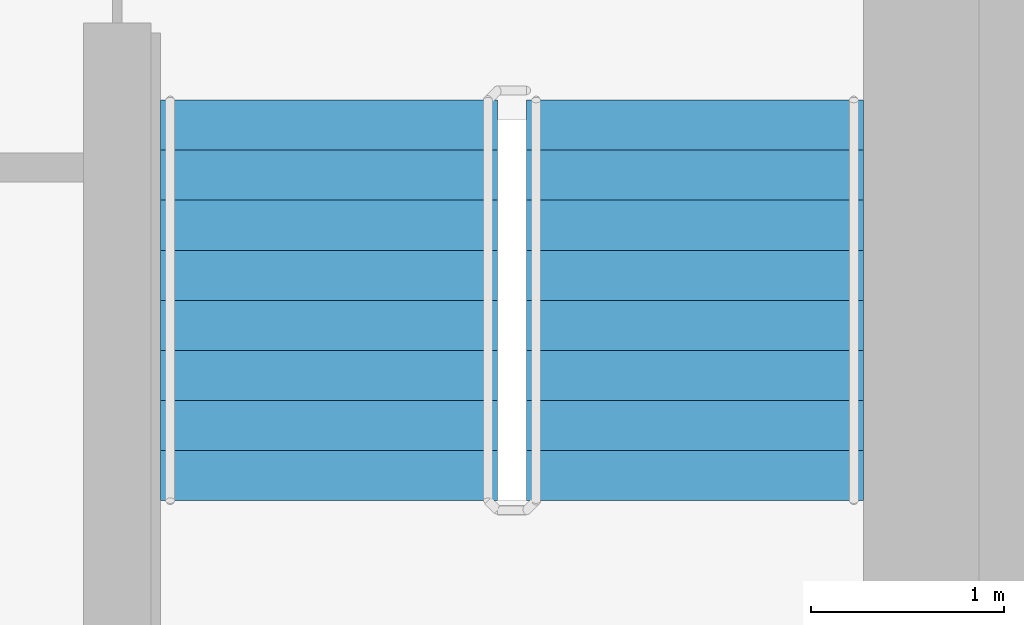
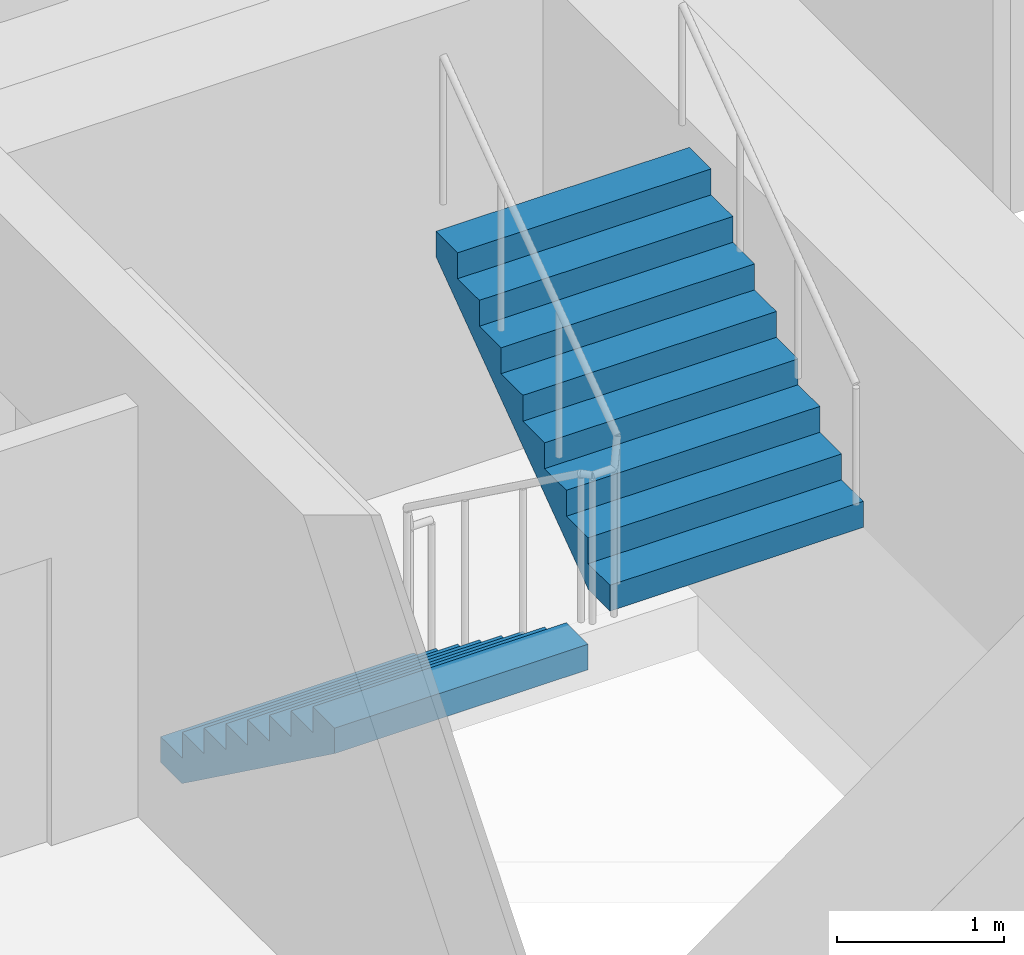
# One storey, part 14 of 18: 2 stair flights, 1 element without a shape of its own.
"""IFC4 building model written with IfcOpenShell, lengths in metres."""

import ifcopenshell
import ifcopenshell.guid

model = None  # the IFC model being written
_history = None  # IfcOwnerHistory: only IFC2X3 demands one
_inside = {}  # id of a spatial element -> (the spatial element, [elements in it])
_under = {}  # id of a project, library or spatial element -> (it, [spatial elements below it])
_declared = {}  # id of a project -> (the project, [libraries it declares])
_typed = {}  # id of a type object -> (the type object, [elements of that type])
_made_of = {}  # id of a material, layer set ... -> (it, [elements and type objects made of it])


def new_model(schema):
    """Start an empty IFC model of exactly this schema.

    Asked for "IFC4X3", IfcOpenShell would pick the latest addendum, in which some entities
    have other attributes; the version numbers below select the first issue.
    IFC2X3 requires an IfcOwnerHistory on every rooted entity: one is made here for all.
    """
    global model, _history
    if schema == "IFC4X3":
        model = ifcopenshell.file(schema_version=(4, 3, 0, 0))
    else:
        model = ifcopenshell.file(schema=schema)
    _inside.clear()
    _under.clear()
    _declared.clear()
    _typed.clear()
    _made_of.clear()
    _history = None
    if model.schema == "IFC2X3":
        org = make("IfcOrganization", Name="unknown")
        user = make(
            "IfcPersonAndOrganization",
            ThePerson=make("IfcPerson", FamilyName="unknown"),
            TheOrganization=org,
        )
        app = make(
            "IfcApplication",
            ApplicationDeveloper=org,
            Version="unknown",
            ApplicationFullName="unknown",
            ApplicationIdentifier="unknown",
        )
        _history = make(
            "IfcOwnerHistory",
            OwningUser=user,
            OwningApplication=app,
            ChangeAction="ADDED",
            CreationDate=0,
        )
    return model


def make(cls, **values):
    """One entity of the class cls with the attributes given. An attribute that is None is left unset."""
    return model.create_entity(
        cls, **{name: value for name, value in values.items() if value is not None}
    )


def rooted(cls, **values):
    """An entity with a GlobalId (a new one), such as an element, a storey or a relation."""
    return make(cls, GlobalId=ifcopenshell.guid.new(), OwnerHistory=_history, **values)


def si_unit(unit_type, name, prefix=None):
    """IfcSIUnit, for example si_unit("LENGTHUNIT", "METRE", prefix="MILLI")."""
    return make("IfcSIUnit", UnitType=unit_type, Prefix=prefix, Name=name)


def assignment(units):
    """IfcUnitAssignment: the units of a project."""
    return None if units is None else make("IfcUnitAssignment", Units=units)


def point(xyz):
    """IfcCartesianPoint."""
    return None if xyz is None else make("IfcCartesianPoint", Coordinates=xyz)


def direction(xyz):
    """IfcDirection."""
    return None if xyz is None else make("IfcDirection", DirectionRatios=xyz)


def frame(location, z_axis=None, x_axis=None):
    """IfcAxis2Placement3D, a coordinate frame: its origin and axes. An axis left out is left unset."""
    return make(
        "IfcAxis2Placement3D",
        Location=point(location),
        Axis=direction(z_axis),
        RefDirection=direction(x_axis),
    )


def origin():
    """The frame at (0, 0, 0) with its axes left unset."""
    return frame((0.0, 0.0, 0.0))


def place(relative_to, where):
    """IfcLocalPlacement: puts the frame where relative to a parent placement (None: the world)."""
    return make(
        "IfcLocalPlacement", PlacementRelTo=relative_to, RelativePlacement=where
    )


def context(
    kind, dimensions, precision=None, world=None, true_north=None, identifier=None
):
    """IfcGeometricRepresentationContext, for example the 3D "Model" context."""
    return make(
        "IfcGeometricRepresentationContext",
        ContextIdentifier=identifier,
        ContextType=kind,
        CoordinateSpaceDimension=dimensions,
        Precision=precision,
        WorldCoordinateSystem=world,
        TrueNorth=true_north,
    )


def subcontext(parent, identifier, kind, view, scale=None):
    """IfcGeometricRepresentationSubContext, for example "Body" below "Model"."""
    return make(
        "IfcGeometricRepresentationSubContext",
        ContextIdentifier=identifier,
        ContextType=kind,
        ParentContext=parent,
        TargetScale=scale,
        TargetView=view,
    )


def project(units=None, contexts=None):
    """IfcProject with its units and contexts."""
    return rooted(
        "IfcProject",
        Name="project",
        RepresentationContexts=contexts,
        UnitsInContext=assignment(units),
    )


def spatial(cls, under=None, at=None, **own):
    """A site, building, storey or space (cls), placed at a placement, below another one or the project."""
    s = rooted(cls, ObjectPlacement=at, **own)
    if under is not None:
        _under.setdefault(under.id(), (under, []))[1].append(s)
    return s


def faces_of(points, faces, orient=None, outer=None):
    """IfcFace entities. A face is a list of loops; a loop is a list of indices into points, from 0.

    orient and outer hold one flag for each loop. By default every Orientation is true, the
    first loop of a face is its IfcFaceOuterBound and the others are IfcFaceBound.
    """
    made = []
    for i, loops in enumerate(faces):
        bounds = []
        for j, loop in enumerate(loops):
            is_outer = j == 0 if outer is None else outer[i][j]
            bounds.append(
                make(
                    "IfcFaceOuterBound" if is_outer else "IfcFaceBound",
                    Bound=make("IfcPolyLoop", Polygon=[points[k] for k in loop]),
                    Orientation=True if orient is None else orient[i][j],
                )
            )
        made.append(make("IfcFace", Bounds=bounds))
    return made


def faceted_brep(points, faces, orient=None, outer=None, voids=None):
    """IfcFacetedBrep: a solid bounded by flat faces; with voids (closed shells), ...WithVoids."""
    shared = [point(p) for p in points]
    hull = make("IfcClosedShell", CfsFaces=faces_of(shared, faces, orient, outer))
    if voids is None:
        return make("IfcFacetedBrep", Outer=hull)
    return make(
        "IfcFacetedBrepWithVoids",
        Outer=hull,
        Voids=[
            make(cls, CfsFaces=faces_of(shared, fs, o, b)) for cls, fs, o, b in voids
        ],
    )


def shape(context_of_items, identifier, shape_type, items):
    """IfcShapeRepresentation: the items that make up one representation, for example the "Body"."""
    return make(
        "IfcShapeRepresentation",
        ContextOfItems=context_of_items,
        RepresentationIdentifier=identifier,
        RepresentationType=shape_type,
        Items=items,
    )


def material(Name=None, Category=None):
    """IfcMaterial."""
    return make("IfcMaterial", Name=Name, Category=Category)


def made_of(thing, what):
    """Note that an element or type object is made of a material, layer set ...; save() writes the relation."""
    if what is not None:
        _made_of.setdefault(what.id(), (what, []))[1].append(thing)
    return thing


def type_object(cls, material=None, **own):
    """A type object (cls), such as IfcWallType, which elements share."""
    return made_of(rooted(cls, **own), material)


def element(
    cls,
    number,
    at=None,
    inside=None,
    cuts=None,
    type_object=None,
    material=None,
    context=None,
    identifier="Body",
    shape_type=None,
    held_by="IfcProductDefinitionShape",
    body=None,
    shapes=None,
    **own,
):
    """One element of the class cls, such as IfcWall. Its Tag is "e" and its number.

    at: its placement. inside: the storey or other place that contains it. cuts: it is an
    opening in that element (IfcRelVoidsElement). A single representation is given by context,
    identifier, shape_type and body (its items); several are given by shapes. held_by: the class
    of the entity that holds the representations. save() writes the other relations.
    """
    e = rooted(cls, Tag="e%d" % number, ObjectPlacement=at, **own)
    if body is not None:
        shapes = [shape(context, identifier, shape_type, body)]
    if shapes is not None:
        e.Representation = make(held_by, Representations=shapes)
    if inside is not None:
        _inside.setdefault(inside.id(), (inside, []))[1].append(e)
    if cuts is not None:
        rooted(
            "IfcRelVoidsElement", RelatingBuildingElement=cuts, RelatedOpeningElement=e
        )
    if type_object is not None:
        _typed.setdefault(type_object.id(), (type_object, []))[1].append(e)
    return made_of(e, material)


def aggregate(whole, parts):
    """IfcRelAggregates: a whole, such as a stair, and the parts it consists of."""
    return rooted("IfcRelAggregates", RelatingObject=whole, RelatedObjects=parts)


def save(model, path):
    """Write the relations noted so far, then the file.

    IfcRelAggregates (storeys below a building ...), IfcRelContainedInSpatialStructure (elements
    in a storey), IfcRelDefinesByType, IfcRelAssociatesMaterial and IfcRelDeclares: one each for
    every whole, place, type object, material and project.
    """
    for whole, parts in _under.values():
        aggregate(whole, parts)
    for where, things in _inside.values():
        rooted(
            "IfcRelContainedInSpatialStructure",
            RelatedElements=things,
            RelatingStructure=where,
        )
    for kind, things in _typed.values():
        rooted("IfcRelDefinesByType", RelatedObjects=things, RelatingType=kind)
    for what, things in _made_of.values():
        rooted("IfcRelAssociatesMaterial", RelatedObjects=things, RelatingMaterial=what)
    for by, libraries in _declared.values():
        rooted("IfcRelDeclares", RelatingContext=by, RelatedDefinitions=libraries)
    model.write(path)


model = new_model("IFC4")

# Units and contexts
model_context = context("Model", 3, precision=1e-05, world=origin(), true_north=direction((0.0, 1.0)))
body_context = subcontext(model_context, "Body", "Model", "MODEL_VIEW")
ifc_project = project(units=[si_unit("LENGTHUNIT", "METRE"), si_unit("AREAUNIT", "SQUARE_METRE"), si_unit("VOLUMEUNIT", "CUBIC_METRE"), si_unit("PLANEANGLEUNIT", "RADIAN"), si_unit("MASSUNIT", "GRAM", prefix="KILO")], contexts=[model_context])

# Site, building, storey
site_placement = place(None, origin())
site = spatial("IfcSite", under=ifc_project, at=site_placement, CompositionType="ELEMENT")
building_placement = place(site_placement, origin())
building = spatial("IfcBuilding", under=site, at=building_placement, Name="Ipe Terrace Towers", CompositionType="ELEMENT")
storey_placement = place(building_placement, frame((0.0, 0.0, 206.199951171875)))
storey = spatial("IfcBuildingStorey", under=building, at=storey_placement, Name="L57", CompositionType="ELEMENT", Elevation=206.199951171875)

# Stair, stair flights
ifc_material_1 = material(Name="Concrete C30/37", Category="concrete")
stair_type = type_object("IfcStairType", Name="Protected exit stair", PredefinedType="HALF_TURN_STAIR", material=ifc_material_1)
stair_placement = place(storey_placement, origin())
stair = element("IfcStair", 1, at=stair_placement, inside=storey, type_object=stair_type, Name="L57 Exit stair T2-C2", PredefinedType="HALF_TURN_STAIR")
ifc_material_2 = material(Name="Concrete C30/37", Category="concrete")
stair_flight_type = type_object("IfcStairFlightType", Name="Exit stair flight 1750", PredefinedType="STRAIGHT", material=ifc_material_2)
stair_flight_1_placement = place(storey_placement, frame((38.77490234375, -9.699951171875, 0.0), z_axis=(0.0, 0.0, 1.0), x_axis=(0.0, -1.0, 0.0)))
stair_flight_1 = element("IfcStairFlight", 2, at=stair_flight_1_placement, type_object=stair_flight_type, Name="T2-ST2 flight 1", NumberOfRisers=9, NumberOfTreads=8, PredefinedType="STRAIGHT", RiserHeight=0.188888889, TreadLength=0.26, context=body_context, shape_type="Brep", body=[
    faceted_brep([(0.255126953125, -0.875, 0.0), (2.080078125, -0.875, 1.325927734375), (2.080078125, -0.875, 1.51123046875), (1.820068359375, -0.875, 1.51123046875), (1.820068359375, -0.875, 1.322265625), (1.56005859375, -0.875, 1.322265625), (1.56005859375, -0.875, 1.13330078125), (1.300048828125, -0.875, 1.13330078125), (1.300048828125, -0.875, 0.9443359375), (1.0400390625, -0.875, 0.9443359375), (1.0400390625, -0.875, 0.755615234375), (0.780029296875, -0.875, 0.755615234375), (0.780029296875, -0.875, 0.566650390625), (0.52001953125, -0.875, 0.566650390625), (0.52001953125, -0.875, 0.377685546875), (0.260009765625, -0.875, 0.377685546875), (0.260009765625, -0.875, 0.18896484375), (0.0, -0.875, 0.18896484375), (0.0, -0.875, 0.0), (0.0, 0.875, 0.0), (0.0, 0.875, 0.18896484375), (0.260009765625, 0.875, 0.18896484375), (0.260009765625, 0.875, 0.377685546875), (0.52001953125, 0.875, 0.377685546875), (0.52001953125, 0.875, 0.566650390625), (0.780029296875, 0.875, 0.566650390625), (0.780029296875, 0.875, 0.755615234375), (1.0400390625, 0.875, 0.755615234375), (1.0400390625, 0.875, 0.9443359375), (1.300048828125, 0.875, 0.9443359375), (1.300048828125, 0.875, 1.13330078125), (1.56005859375, 0.875, 1.13330078125), (1.56005859375, 0.875, 1.322265625), (1.820068359375, 0.875, 1.322265625), (1.820068359375, 0.875, 1.51123046875), (2.080078125, 0.875, 1.51123046875), (2.080078125, 0.875, 1.325927734375), (0.255126953125, 0.875, 0.0), (0.0, -0.300048828125, 0.18896484375), (0.0, -0.1201171875, 0.18896484375), (0.0, -0.06005859375, 0.18896484375), (0.0, -0.030029296875, 0.18896484375), (0.0, -0.010009765625, 0.18896484375), (0.0, 0.0, 0.18896484375), (0.0, 0.010009765625, 0.18896484375), (0.0, 0.030029296875, 0.18896484375), (0.0, 0.06005859375, 0.18896484375), (0.0, 0.1201171875, 0.18896484375), (0.0, 0.300048828125, 0.18896484375), (0.0, 0.300048828125, 0.0), (0.0, 0.1201171875, 0.0), (0.0, 0.06005859375, 0.0), (0.0, 0.030029296875, 0.0), (0.0, 0.010009765625, 0.0), (0.0, 0.0, 0.0), (0.0, -0.010009765625, 0.0), (0.0, -0.030029296875, 0.0), (0.0, -0.06005859375, 0.0), (0.0, -0.1201171875, 0.0), (0.0, -0.300048828125, 0.0), (0.260009765625, -0.300048828125, 0.18896484375), (0.260009765625, -0.1201171875, 0.18896484375), (0.260009765625, -0.06005859375, 0.18896484375), (0.260009765625, -0.030029296875, 0.18896484375), (0.260009765625, -0.010009765625, 0.18896484375), (0.260009765625, 0.0, 0.18896484375), (0.260009765625, 0.010009765625, 0.18896484375), (0.260009765625, 0.030029296875, 0.18896484375), (0.260009765625, 0.06005859375, 0.18896484375), (0.260009765625, 0.1201171875, 0.18896484375), (0.260009765625, 0.300048828125, 0.18896484375), (0.260009765625, -0.300048828125, 0.377685546875), (0.260009765625, -0.1201171875, 0.377685546875), (0.260009765625, -0.06005859375, 0.377685546875), (0.260009765625, -0.030029296875, 0.377685546875), (0.260009765625, -0.010009765625, 0.377685546875), (0.260009765625, 0.0, 0.377685546875), (0.260009765625, 0.010009765625, 0.377685546875), (0.260009765625, 0.030029296875, 0.377685546875), (0.260009765625, 0.06005859375, 0.377685546875), (0.260009765625, 0.1201171875, 0.377685546875), (0.260009765625, 0.300048828125, 0.377685546875), (0.52001953125, -0.300048828125, 0.377685546875), (0.52001953125, -0.1201171875, 0.377685546875), (0.52001953125, -0.06005859375, 0.377685546875), (0.52001953125, -0.030029296875, 0.377685546875), (0.52001953125, -0.010009765625, 0.377685546875), (0.52001953125, 0.0, 0.377685546875), (0.52001953125, 0.010009765625, 0.377685546875), (0.52001953125, 0.030029296875, 0.377685546875), (0.52001953125, 0.06005859375, 0.377685546875), (0.52001953125, 0.1201171875, 0.377685546875), (0.52001953125, 0.300048828125, 0.377685546875), (0.52001953125, -0.300048828125, 0.566650390625), (0.52001953125, -0.1201171875, 0.566650390625), (0.52001953125, -0.06005859375, 0.566650390625), (0.52001953125, -0.030029296875, 0.566650390625), (0.52001953125, -0.010009765625, 0.566650390625), (0.52001953125, 0.0, 0.566650390625), (0.52001953125, 0.010009765625, 0.566650390625), (0.52001953125, 0.030029296875, 0.566650390625), (0.52001953125, 0.06005859375, 0.566650390625), (0.52001953125, 0.1201171875, 0.566650390625), (0.52001953125, 0.300048828125, 0.566650390625), (0.780029296875, -0.300048828125, 0.566650390625), (0.780029296875, -0.1201171875, 0.566650390625), (0.780029296875, -0.06005859375, 0.566650390625), (0.780029296875, -0.030029296875, 0.566650390625), (0.780029296875, -0.010009765625, 0.566650390625), (0.780029296875, 0.0, 0.566650390625), (0.780029296875, 0.010009765625, 0.566650390625), (0.780029296875, 0.030029296875, 0.566650390625), (0.780029296875, 0.06005859375, 0.566650390625), (0.780029296875, 0.1201171875, 0.566650390625), (0.780029296875, 0.300048828125, 0.566650390625), (0.780029296875, -0.300048828125, 0.755615234375), (0.780029296875, -0.1201171875, 0.755615234375), (0.780029296875, -0.06005859375, 0.755615234375), (0.780029296875, -0.030029296875, 0.755615234375), (0.780029296875, -0.010009765625, 0.755615234375), (0.780029296875, 0.0, 0.755615234375), (0.780029296875, 0.010009765625, 0.755615234375), (0.780029296875, 0.030029296875, 0.755615234375), (0.780029296875, 0.06005859375, 0.755615234375), (0.780029296875, 0.1201171875, 0.755615234375), (0.780029296875, 0.300048828125, 0.755615234375), (1.0400390625, -0.300048828125, 0.755615234375), (1.0400390625, -0.1201171875, 0.755615234375), (1.0400390625, -0.06005859375, 0.755615234375), (1.0400390625, -0.030029296875, 0.755615234375), (1.0400390625, -0.010009765625, 0.755615234375), (1.0400390625, 0.0, 0.755615234375), (1.0400390625, 0.010009765625, 0.755615234375), (1.0400390625, 0.030029296875, 0.755615234375), (1.0400390625, 0.06005859375, 0.755615234375), (1.0400390625, 0.1201171875, 0.755615234375), (1.0400390625, 0.300048828125, 0.755615234375), (1.0400390625, -0.300048828125, 0.9443359375), (1.0400390625, -0.1201171875, 0.9443359375), (1.0400390625, -0.06005859375, 0.9443359375), (1.0400390625, -0.030029296875, 0.9443359375), (1.0400390625, -0.010009765625, 0.9443359375), (1.0400390625, 0.0, 0.9443359375), (1.0400390625, 0.010009765625, 0.9443359375), (1.0400390625, 0.030029296875, 0.9443359375), (1.0400390625, 0.06005859375, 0.9443359375), (1.0400390625, 0.1201171875, 0.9443359375), (1.0400390625, 0.300048828125, 0.9443359375), (1.300048828125, -0.300048828125, 0.9443359375), (1.300048828125, -0.1201171875, 0.9443359375), (1.300048828125, -0.06005859375, 0.9443359375), (1.300048828125, -0.030029296875, 0.9443359375), (1.300048828125, -0.010009765625, 0.9443359375), (1.300048828125, 0.0, 0.9443359375), (1.300048828125, 0.010009765625, 0.9443359375), (1.300048828125, 0.030029296875, 0.9443359375), (1.300048828125, 0.06005859375, 0.9443359375), (1.300048828125, 0.1201171875, 0.9443359375), (1.300048828125, 0.300048828125, 0.9443359375), (1.300048828125, -0.300048828125, 1.13330078125), (1.300048828125, -0.1201171875, 1.13330078125), (1.300048828125, -0.06005859375, 1.13330078125), (1.300048828125, -0.030029296875, 1.13330078125), (1.300048828125, -0.010009765625, 1.13330078125), (1.300048828125, 0.0, 1.13330078125), (1.300048828125, 0.010009765625, 1.13330078125), (1.300048828125, 0.030029296875, 1.13330078125), (1.300048828125, 0.06005859375, 1.13330078125), (1.300048828125, 0.1201171875, 1.13330078125), (1.300048828125, 0.300048828125, 1.13330078125), (1.56005859375, -0.300048828125, 1.13330078125), (1.56005859375, -0.1201171875, 1.13330078125), (1.56005859375, -0.06005859375, 1.13330078125), (1.56005859375, -0.030029296875, 1.13330078125), (1.56005859375, -0.010009765625, 1.13330078125), (1.56005859375, 0.0, 1.13330078125), (1.56005859375, 0.010009765625, 1.13330078125), (1.56005859375, 0.030029296875, 1.13330078125), (1.56005859375, 0.06005859375, 1.13330078125), (1.56005859375, 0.1201171875, 1.13330078125), (1.56005859375, 0.300048828125, 1.13330078125), (1.56005859375, -0.300048828125, 1.322265625), (1.56005859375, -0.1201171875, 1.322265625), (1.56005859375, -0.06005859375, 1.322265625), (1.56005859375, -0.030029296875, 1.322265625), (1.56005859375, -0.010009765625, 1.322265625), (1.56005859375, 0.0, 1.322265625), (1.56005859375, 0.010009765625, 1.322265625), (1.56005859375, 0.030029296875, 1.322265625), (1.56005859375, 0.06005859375, 1.322265625), (1.56005859375, 0.1201171875, 1.322265625), (1.56005859375, 0.300048828125, 1.322265625), (1.820068359375, -0.300048828125, 1.322265625), (1.820068359375, -0.1201171875, 1.322265625), (1.820068359375, -0.06005859375, 1.322265625), (1.820068359375, -0.030029296875, 1.322265625), (1.820068359375, -0.010009765625, 1.322265625), (1.820068359375, 0.0, 1.322265625), (1.820068359375, 0.010009765625, 1.322265625), (1.820068359375, 0.030029296875, 1.322265625), (1.820068359375, 0.06005859375, 1.322265625), (1.820068359375, 0.1201171875, 1.322265625), (1.820068359375, 0.300048828125, 1.322265625), (1.820068359375, -0.300048828125, 1.51123046875), (1.820068359375, -0.1201171875, 1.51123046875), (1.820068359375, -0.06005859375, 1.51123046875), (1.820068359375, -0.030029296875, 1.51123046875), (1.820068359375, -0.010009765625, 1.51123046875), (1.820068359375, 0.0, 1.51123046875), (1.820068359375, 0.010009765625, 1.51123046875), (1.820068359375, 0.030029296875, 1.51123046875), (1.820068359375, 0.06005859375, 1.51123046875), (1.820068359375, 0.1201171875, 1.51123046875), (1.820068359375, 0.300048828125, 1.51123046875), (2.080078125, -0.300048828125, 1.51123046875), (2.080078125, -0.1201171875, 1.51123046875), (2.080078125, -0.06005859375, 1.51123046875), (2.080078125, -0.030029296875, 1.51123046875), (2.080078125, -0.010009765625, 1.51123046875), (2.080078125, 0.0, 1.51123046875), (2.080078125, 0.010009765625, 1.51123046875), (2.080078125, 0.030029296875, 1.51123046875), (2.080078125, 0.06005859375, 1.51123046875), (2.080078125, 0.1201171875, 1.51123046875), (2.080078125, 0.300048828125, 1.51123046875), (2.080078125, -0.300048828125, 1.325927734375), (2.080078125, -0.1201171875, 1.325927734375), (2.080078125, -0.06005859375, 1.325927734375), (2.080078125, -0.030029296875, 1.325927734375), (2.080078125, -0.010009765625, 1.325927734375), (2.080078125, 0.0, 1.325927734375), (2.080078125, 0.010009765625, 1.325927734375), (2.080078125, 0.030029296875, 1.325927734375), (2.080078125, 0.06005859375, 1.325927734375), (2.080078125, 0.1201171875, 1.325927734375), (2.080078125, 0.300048828125, 1.325927734375), (0.255126953125, -0.300048828125, 0.0), (0.255126953125, -0.1201171875, 0.0), (0.255126953125, -0.06005859375, 0.0), (0.255126953125, -0.030029296875, 0.0), (0.255126953125, -0.010009765625, 0.0), (0.255126953125, 0.0, 0.0), (0.255126953125, 0.010009765625, 0.0), (0.255126953125, 0.030029296875, 0.0), (0.255126953125, 0.06005859375, 0.0), (0.255126953125, 0.1201171875, 0.0), (0.255126953125, 0.300048828125, 0.0)], [[[0, 1, 2, 3, 4, 5, 6, 7, 8, 9, 10, 11, 12, 13, 14, 15, 16, 17, 18]], [[19, 20, 21, 22, 23, 24, 25, 26, 27, 28, 29, 30, 31, 32, 33, 34, 35, 36, 37]], [[17, 38, 39, 40, 41, 42, 43, 44, 45, 46, 47, 48, 20, 19, 49, 50, 51, 52, 53, 54, 55, 56, 57, 58, 59, 18]], [[16, 60, 61, 62, 63, 64, 65, 66, 67, 68, 69, 70, 21, 20, 48, 47, 46, 45, 44, 43, 42, 41, 40, 39, 38, 17]], [[15, 71, 72, 73, 74, 75, 76, 77, 78, 79, 80, 81, 22, 21, 70, 69, 68, 67, 66, 65, 64, 63, 62, 61, 60, 16]], [[14, 82, 83, 84, 85, 86, 87, 88, 89, 90, 91, 92, 23, 22, 81, 80, 79, 78, 77, 76, 75, 74, 73, 72, 71, 15]], [[13, 93, 94, 95, 96, 97, 98, 99, 100, 101, 102, 103, 24, 23, 92, 91, 90, 89, 88, 87, 86, 85, 84, 83, 82, 14]], [[12, 104, 105, 106, 107, 108, 109, 110, 111, 112, 113, 114, 25, 24, 103, 102, 101, 100, 99, 98, 97, 96, 95, 94, 93, 13]], [[11, 115, 116, 117, 118, 119, 120, 121, 122, 123, 124, 125, 26, 25, 114, 113, 112, 111, 110, 109, 108, 107, 106, 105, 104, 12]], [[10, 126, 127, 128, 129, 130, 131, 132, 133, 134, 135, 136, 27, 26, 125, 124, 123, 122, 121, 120, 119, 118, 117, 116, 115, 11]], [[9, 137, 138, 139, 140, 141, 142, 143, 144, 145, 146, 147, 28, 27, 136, 135, 134, 133, 132, 131, 130, 129, 128, 127, 126, 10]], [[8, 148, 149, 150, 151, 152, 153, 154, 155, 156, 157, 158, 29, 28, 147, 146, 145, 144, 143, 142, 141, 140, 139, 138, 137, 9]], [[7, 159, 160, 161, 162, 163, 164, 165, 166, 167, 168, 169, 30, 29, 158, 157, 156, 155, 154, 153, 152, 151, 150, 149, 148, 8]], [[6, 170, 171, 172, 173, 174, 175, 176, 177, 178, 179, 180, 31, 30, 169, 168, 167, 166, 165, 164, 163, 162, 161, 160, 159, 7]], [[5, 181, 182, 183, 184, 185, 186, 187, 188, 189, 190, 191, 32, 31, 180, 179, 178, 177, 176, 175, 174, 173, 172, 171, 170, 6]], [[4, 192, 193, 194, 195, 196, 197, 198, 199, 200, 201, 202, 33, 32, 191, 190, 189, 188, 187, 186, 185, 184, 183, 182, 181, 5]], [[3, 203, 204, 205, 206, 207, 208, 209, 210, 211, 212, 213, 34, 33, 202, 201, 200, 199, 198, 197, 196, 195, 194, 193, 192, 4]], [[2, 214, 215, 216, 217, 218, 219, 220, 221, 222, 223, 224, 35, 34, 213, 212, 211, 210, 209, 208, 207, 206, 205, 204, 203, 3]], [[1, 225, 226, 227, 228, 229, 230, 231, 232, 233, 234, 235, 36, 35, 224, 223, 222, 221, 220, 219, 218, 217, 216, 215, 214, 2]], [[0, 236, 237, 238, 239, 240, 241, 242, 243, 244, 245, 246, 37, 36, 235, 234, 233, 232, 231, 230, 229, 228, 227, 226, 225, 1]], [[18, 59, 58, 57, 56, 55, 54, 53, 52, 51, 50, 49, 19, 37, 246, 245, 244, 243, 242, 241, 240, 239, 238, 237, 236, 0]]]),
])
stair_flight_2_placement = place(storey_placement, frame((40.675048828125, -11.780029296875, 1.699951171875), z_axis=(0.0, 0.0, 1.0), x_axis=(0.0, 1.0, 0.0)))
stair_flight_2 = element("IfcStairFlight", 3, at=stair_flight_2_placement, type_object=stair_flight_type, Name="T2-ST2 flight 2", NumberOfRisers=9, NumberOfTreads=8, PredefinedType="STRAIGHT", RiserHeight=0.188888889, TreadLength=0.26, context=body_context, shape_type="Brep", body=[
    faceted_brep([(0.255126953125, -0.875, 0.0), (2.080078125, -0.875, 1.325927734375), (2.080078125, -0.875, 1.51123046875), (1.820068359375, -0.875, 1.51123046875), (1.820068359375, -0.875, 1.322265625), (1.56005859375, -0.875, 1.322265625), (1.56005859375, -0.875, 1.13330078125), (1.300048828125, -0.875, 1.13330078125), (1.300048828125, -0.875, 0.9443359375), (1.0400390625, -0.875, 0.9443359375), (1.0400390625, -0.875, 0.755615234375), (0.780029296875, -0.875, 0.755615234375), (0.780029296875, -0.875, 0.566650390625), (0.52001953125, -0.875, 0.566650390625), (0.52001953125, -0.875, 0.377685546875), (0.260009765625, -0.875, 0.377685546875), (0.260009765625, -0.875, 0.18896484375), (0.0, -0.875, 0.18896484375), (0.0, -0.875, 0.0), (0.0, 0.875, 0.0), (0.0, 0.875, 0.18896484375), (0.260009765625, 0.875, 0.18896484375), (0.260009765625, 0.875, 0.377685546875), (0.52001953125, 0.875, 0.377685546875), (0.52001953125, 0.875, 0.566650390625), (0.780029296875, 0.875, 0.566650390625), (0.780029296875, 0.875, 0.755615234375), (1.0400390625, 0.875, 0.755615234375), (1.0400390625, 0.875, 0.9443359375), (1.300048828125, 0.875, 0.9443359375), (1.300048828125, 0.875, 1.13330078125), (1.56005859375, 0.875, 1.13330078125), (1.56005859375, 0.875, 1.322265625), (1.820068359375, 0.875, 1.322265625), (1.820068359375, 0.875, 1.51123046875), (2.080078125, 0.875, 1.51123046875), (2.080078125, 0.875, 1.325927734375), (0.255126953125, 0.875, 0.0), (0.0, -0.300048828125, 0.18896484375), (0.0, -0.1201171875, 0.18896484375), (0.0, -0.06005859375, 0.18896484375), (0.0, -0.030029296875, 0.18896484375), (0.0, -0.010009765625, 0.18896484375), (0.0, 0.0, 0.18896484375), (0.0, 0.010009765625, 0.18896484375), (0.0, 0.030029296875, 0.18896484375), (0.0, 0.06005859375, 0.18896484375), (0.0, 0.1201171875, 0.18896484375), (0.0, 0.300048828125, 0.18896484375), (0.0, 0.300048828125, 0.0), (0.0, 0.1201171875, 0.0), (0.0, 0.06005859375, 0.0), (0.0, 0.030029296875, 0.0), (0.0, 0.010009765625, 0.0), (0.0, 0.0, 0.0), (0.0, -0.010009765625, 0.0), (0.0, -0.030029296875, 0.0), (0.0, -0.06005859375, 0.0), (0.0, -0.1201171875, 0.0), (0.0, -0.300048828125, 0.0), (0.260009765625, -0.300048828125, 0.18896484375), (0.260009765625, -0.1201171875, 0.18896484375), (0.260009765625, -0.06005859375, 0.18896484375), (0.260009765625, -0.030029296875, 0.18896484375), (0.260009765625, -0.010009765625, 0.18896484375), (0.260009765625, 0.0, 0.18896484375), (0.260009765625, 0.010009765625, 0.18896484375), (0.260009765625, 0.030029296875, 0.18896484375), (0.260009765625, 0.06005859375, 0.18896484375), (0.260009765625, 0.1201171875, 0.18896484375), (0.260009765625, 0.300048828125, 0.18896484375), (0.260009765625, -0.300048828125, 0.377685546875), (0.260009765625, -0.1201171875, 0.377685546875), (0.260009765625, -0.06005859375, 0.377685546875), (0.260009765625, -0.030029296875, 0.377685546875), (0.260009765625, -0.010009765625, 0.377685546875), (0.260009765625, 0.0, 0.377685546875), (0.260009765625, 0.010009765625, 0.377685546875), (0.260009765625, 0.030029296875, 0.377685546875), (0.260009765625, 0.06005859375, 0.377685546875), (0.260009765625, 0.1201171875, 0.377685546875), (0.260009765625, 0.300048828125, 0.377685546875), (0.52001953125, -0.300048828125, 0.377685546875), (0.52001953125, -0.1201171875, 0.377685546875), (0.52001953125, -0.06005859375, 0.377685546875), (0.52001953125, -0.030029296875, 0.377685546875), (0.52001953125, -0.010009765625, 0.377685546875), (0.52001953125, 0.0, 0.377685546875), (0.52001953125, 0.010009765625, 0.377685546875), (0.52001953125, 0.030029296875, 0.377685546875), (0.52001953125, 0.06005859375, 0.377685546875), (0.52001953125, 0.1201171875, 0.377685546875), (0.52001953125, 0.300048828125, 0.377685546875), (0.52001953125, -0.300048828125, 0.566650390625), (0.52001953125, -0.1201171875, 0.566650390625), (0.52001953125, -0.06005859375, 0.566650390625), (0.52001953125, -0.030029296875, 0.566650390625), (0.52001953125, -0.010009765625, 0.566650390625), (0.52001953125, 0.0, 0.566650390625), (0.52001953125, 0.010009765625, 0.566650390625), (0.52001953125, 0.030029296875, 0.566650390625), (0.52001953125, 0.06005859375, 0.566650390625), (0.52001953125, 0.1201171875, 0.566650390625), (0.52001953125, 0.300048828125, 0.566650390625), (0.780029296875, -0.300048828125, 0.566650390625), (0.780029296875, -0.1201171875, 0.566650390625), (0.780029296875, -0.06005859375, 0.566650390625), (0.780029296875, -0.030029296875, 0.566650390625), (0.780029296875, -0.010009765625, 0.566650390625), (0.780029296875, 0.0, 0.566650390625), (0.780029296875, 0.010009765625, 0.566650390625), (0.780029296875, 0.030029296875, 0.566650390625), (0.780029296875, 0.06005859375, 0.566650390625), (0.780029296875, 0.1201171875, 0.566650390625), (0.780029296875, 0.300048828125, 0.566650390625), (0.780029296875, -0.300048828125, 0.755615234375), (0.780029296875, -0.1201171875, 0.755615234375), (0.780029296875, -0.06005859375, 0.755615234375), (0.780029296875, -0.030029296875, 0.755615234375), (0.780029296875, -0.010009765625, 0.755615234375), (0.780029296875, 0.0, 0.755615234375), (0.780029296875, 0.010009765625, 0.755615234375), (0.780029296875, 0.030029296875, 0.755615234375), (0.780029296875, 0.06005859375, 0.755615234375), (0.780029296875, 0.1201171875, 0.755615234375), (0.780029296875, 0.300048828125, 0.755615234375), (1.0400390625, -0.300048828125, 0.755615234375), (1.0400390625, -0.1201171875, 0.755615234375), (1.0400390625, -0.06005859375, 0.755615234375), (1.0400390625, -0.030029296875, 0.755615234375), (1.0400390625, -0.010009765625, 0.755615234375), (1.0400390625, 0.0, 0.755615234375), (1.0400390625, 0.010009765625, 0.755615234375), (1.0400390625, 0.030029296875, 0.755615234375), (1.0400390625, 0.06005859375, 0.755615234375), (1.0400390625, 0.1201171875, 0.755615234375), (1.0400390625, 0.300048828125, 0.755615234375), (1.0400390625, -0.300048828125, 0.9443359375), (1.0400390625, -0.1201171875, 0.9443359375), (1.0400390625, -0.06005859375, 0.9443359375), (1.0400390625, -0.030029296875, 0.9443359375), (1.0400390625, -0.010009765625, 0.9443359375), (1.0400390625, 0.0, 0.9443359375), (1.0400390625, 0.010009765625, 0.9443359375), (1.0400390625, 0.030029296875, 0.9443359375), (1.0400390625, 0.06005859375, 0.9443359375), (1.0400390625, 0.1201171875, 0.9443359375), (1.0400390625, 0.300048828125, 0.9443359375), (1.300048828125, -0.300048828125, 0.9443359375), (1.300048828125, -0.1201171875, 0.9443359375), (1.300048828125, -0.06005859375, 0.9443359375), (1.300048828125, -0.030029296875, 0.9443359375), (1.300048828125, -0.010009765625, 0.9443359375), (1.300048828125, 0.0, 0.9443359375), (1.300048828125, 0.010009765625, 0.9443359375), (1.300048828125, 0.030029296875, 0.9443359375), (1.300048828125, 0.06005859375, 0.9443359375), (1.300048828125, 0.1201171875, 0.9443359375), (1.300048828125, 0.300048828125, 0.9443359375), (1.300048828125, -0.300048828125, 1.13330078125), (1.300048828125, -0.1201171875, 1.13330078125), (1.300048828125, -0.06005859375, 1.13330078125), (1.300048828125, -0.030029296875, 1.13330078125), (1.300048828125, -0.010009765625, 1.13330078125), (1.300048828125, 0.0, 1.13330078125), (1.300048828125, 0.010009765625, 1.13330078125), (1.300048828125, 0.030029296875, 1.13330078125), (1.300048828125, 0.06005859375, 1.13330078125), (1.300048828125, 0.1201171875, 1.13330078125), (1.300048828125, 0.300048828125, 1.13330078125), (1.56005859375, -0.300048828125, 1.13330078125), (1.56005859375, -0.1201171875, 1.13330078125), (1.56005859375, -0.06005859375, 1.13330078125), (1.56005859375, -0.030029296875, 1.13330078125), (1.56005859375, -0.010009765625, 1.13330078125), (1.56005859375, 0.0, 1.13330078125), (1.56005859375, 0.010009765625, 1.13330078125), (1.56005859375, 0.030029296875, 1.13330078125), (1.56005859375, 0.06005859375, 1.13330078125), (1.56005859375, 0.1201171875, 1.13330078125), (1.56005859375, 0.300048828125, 1.13330078125), (1.56005859375, -0.300048828125, 1.322265625), (1.56005859375, -0.1201171875, 1.322265625), (1.56005859375, -0.06005859375, 1.322265625), (1.56005859375, -0.030029296875, 1.322265625), (1.56005859375, -0.010009765625, 1.322265625), (1.56005859375, 0.0, 1.322265625), (1.56005859375, 0.010009765625, 1.322265625), (1.56005859375, 0.030029296875, 1.322265625), (1.56005859375, 0.06005859375, 1.322265625), (1.56005859375, 0.1201171875, 1.322265625), (1.56005859375, 0.300048828125, 1.322265625), (1.820068359375, -0.300048828125, 1.322265625), (1.820068359375, -0.1201171875, 1.322265625), (1.820068359375, -0.06005859375, 1.322265625), (1.820068359375, -0.030029296875, 1.322265625), (1.820068359375, -0.010009765625, 1.322265625), (1.820068359375, 0.0, 1.322265625), (1.820068359375, 0.010009765625, 1.322265625), (1.820068359375, 0.030029296875, 1.322265625), (1.820068359375, 0.06005859375, 1.322265625), (1.820068359375, 0.1201171875, 1.322265625), (1.820068359375, 0.300048828125, 1.322265625), (1.820068359375, -0.300048828125, 1.51123046875), (1.820068359375, -0.1201171875, 1.51123046875), (1.820068359375, -0.06005859375, 1.51123046875), (1.820068359375, -0.030029296875, 1.51123046875), (1.820068359375, -0.010009765625, 1.51123046875), (1.820068359375, 0.0, 1.51123046875), (1.820068359375, 0.010009765625, 1.51123046875), (1.820068359375, 0.030029296875, 1.51123046875), (1.820068359375, 0.06005859375, 1.51123046875), (1.820068359375, 0.1201171875, 1.51123046875), (1.820068359375, 0.300048828125, 1.51123046875), (2.080078125, -0.300048828125, 1.51123046875), (2.080078125, -0.1201171875, 1.51123046875), (2.080078125, -0.06005859375, 1.51123046875), (2.080078125, -0.030029296875, 1.51123046875), (2.080078125, -0.010009765625, 1.51123046875), (2.080078125, 0.0, 1.51123046875), (2.080078125, 0.010009765625, 1.51123046875), (2.080078125, 0.030029296875, 1.51123046875), (2.080078125, 0.06005859375, 1.51123046875), (2.080078125, 0.1201171875, 1.51123046875), (2.080078125, 0.300048828125, 1.51123046875), (2.080078125, -0.300048828125, 1.325927734375), (2.080078125, -0.1201171875, 1.325927734375), (2.080078125, -0.06005859375, 1.325927734375), (2.080078125, -0.030029296875, 1.325927734375), (2.080078125, -0.010009765625, 1.325927734375), (2.080078125, 0.0, 1.325927734375), (2.080078125, 0.010009765625, 1.325927734375), (2.080078125, 0.030029296875, 1.325927734375), (2.080078125, 0.06005859375, 1.325927734375), (2.080078125, 0.1201171875, 1.325927734375), (2.080078125, 0.300048828125, 1.325927734375), (0.255126953125, -0.300048828125, 0.0), (0.255126953125, -0.1201171875, 0.0), (0.255126953125, -0.06005859375, 0.0), (0.255126953125, -0.030029296875, 0.0), (0.255126953125, -0.010009765625, 0.0), (0.255126953125, 0.0, 0.0), (0.255126953125, 0.010009765625, 0.0), (0.255126953125, 0.030029296875, 0.0), (0.255126953125, 0.06005859375, 0.0), (0.255126953125, 0.1201171875, 0.0), (0.255126953125, 0.300048828125, 0.0)], [[[0, 1, 2, 3, 4, 5, 6, 7, 8, 9, 10, 11, 12, 13, 14, 15, 16, 17, 18]], [[19, 20, 21, 22, 23, 24, 25, 26, 27, 28, 29, 30, 31, 32, 33, 34, 35, 36, 37]], [[17, 38, 39, 40, 41, 42, 43, 44, 45, 46, 47, 48, 20, 19, 49, 50, 51, 52, 53, 54, 55, 56, 57, 58, 59, 18]], [[16, 60, 61, 62, 63, 64, 65, 66, 67, 68, 69, 70, 21, 20, 48, 47, 46, 45, 44, 43, 42, 41, 40, 39, 38, 17]], [[15, 71, 72, 73, 74, 75, 76, 77, 78, 79, 80, 81, 22, 21, 70, 69, 68, 67, 66, 65, 64, 63, 62, 61, 60, 16]], [[14, 82, 83, 84, 85, 86, 87, 88, 89, 90, 91, 92, 23, 22, 81, 80, 79, 78, 77, 76, 75, 74, 73, 72, 71, 15]], [[13, 93, 94, 95, 96, 97, 98, 99, 100, 101, 102, 103, 24, 23, 92, 91, 90, 89, 88, 87, 86, 85, 84, 83, 82, 14]], [[12, 104, 105, 106, 107, 108, 109, 110, 111, 112, 113, 114, 25, 24, 103, 102, 101, 100, 99, 98, 97, 96, 95, 94, 93, 13]], [[11, 115, 116, 117, 118, 119, 120, 121, 122, 123, 124, 125, 26, 25, 114, 113, 112, 111, 110, 109, 108, 107, 106, 105, 104, 12]], [[10, 126, 127, 128, 129, 130, 131, 132, 133, 134, 135, 136, 27, 26, 125, 124, 123, 122, 121, 120, 119, 118, 117, 116, 115, 11]], [[9, 137, 138, 139, 140, 141, 142, 143, 144, 145, 146, 147, 28, 27, 136, 135, 134, 133, 132, 131, 130, 129, 128, 127, 126, 10]], [[8, 148, 149, 150, 151, 152, 153, 154, 155, 156, 157, 158, 29, 28, 147, 146, 145, 144, 143, 142, 141, 140, 139, 138, 137, 9]], [[7, 159, 160, 161, 162, 163, 164, 165, 166, 167, 168, 169, 30, 29, 158, 157, 156, 155, 154, 153, 152, 151, 150, 149, 148, 8]], [[6, 170, 171, 172, 173, 174, 175, 176, 177, 178, 179, 180, 31, 30, 169, 168, 167, 166, 165, 164, 163, 162, 161, 160, 159, 7]], [[5, 181, 182, 183, 184, 185, 186, 187, 188, 189, 190, 191, 32, 31, 180, 179, 178, 177, 176, 175, 174, 173, 172, 171, 170, 6]], [[4, 192, 193, 194, 195, 196, 197, 198, 199, 200, 201, 202, 33, 32, 191, 190, 189, 188, 187, 186, 185, 184, 183, 182, 181, 5]], [[3, 203, 204, 205, 206, 207, 208, 209, 210, 211, 212, 213, 34, 33, 202, 201, 200, 199, 198, 197, 196, 195, 194, 193, 192, 4]], [[2, 214, 215, 216, 217, 218, 219, 220, 221, 222, 223, 224, 35, 34, 213, 212, 211, 210, 209, 208, 207, 206, 205, 204, 203, 3]], [[1, 225, 226, 227, 228, 229, 230, 231, 232, 233, 234, 235, 36, 35, 224, 223, 222, 221, 220, 219, 218, 217, 216, 215, 214, 2]], [[0, 236, 237, 238, 239, 240, 241, 242, 243, 244, 245, 246, 37, 36, 235, 234, 233, 232, 231, 230, 229, 228, 227, 226, 225, 1]], [[18, 59, 58, 57, 56, 55, 54, 53, 52, 51, 50, 49, 19, 37, 246, 245, 244, 243, 242, 241, 240, 239, 238, 237, 236, 0]]]),
])
aggregate(stair, [stair_flight_1, stair_flight_2])

save(model, "model.ifc")
